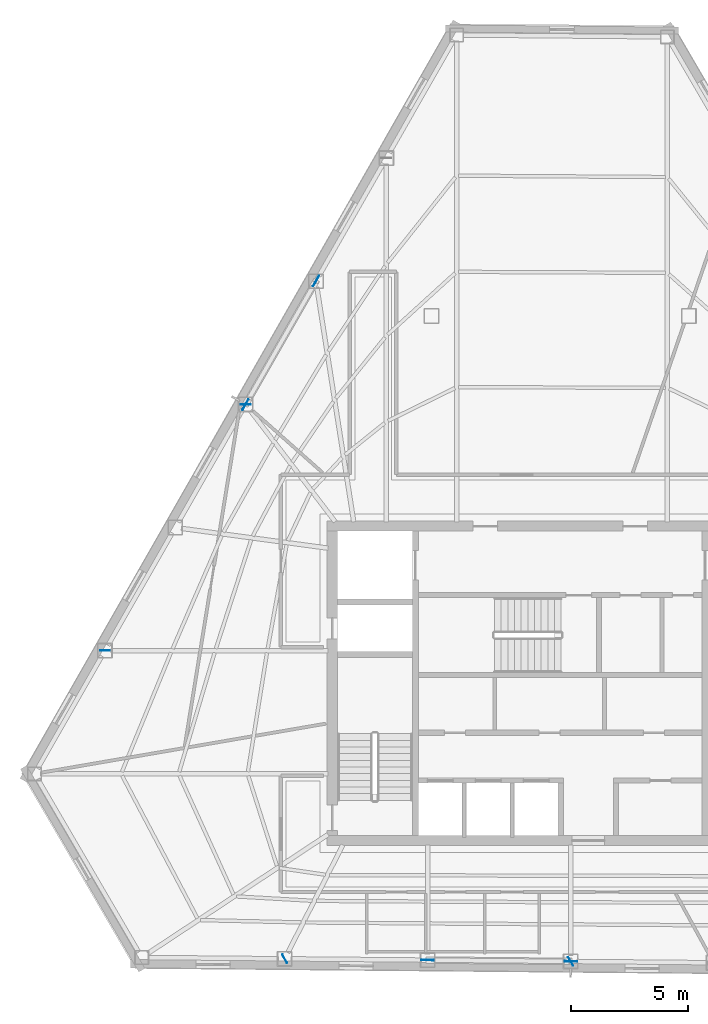
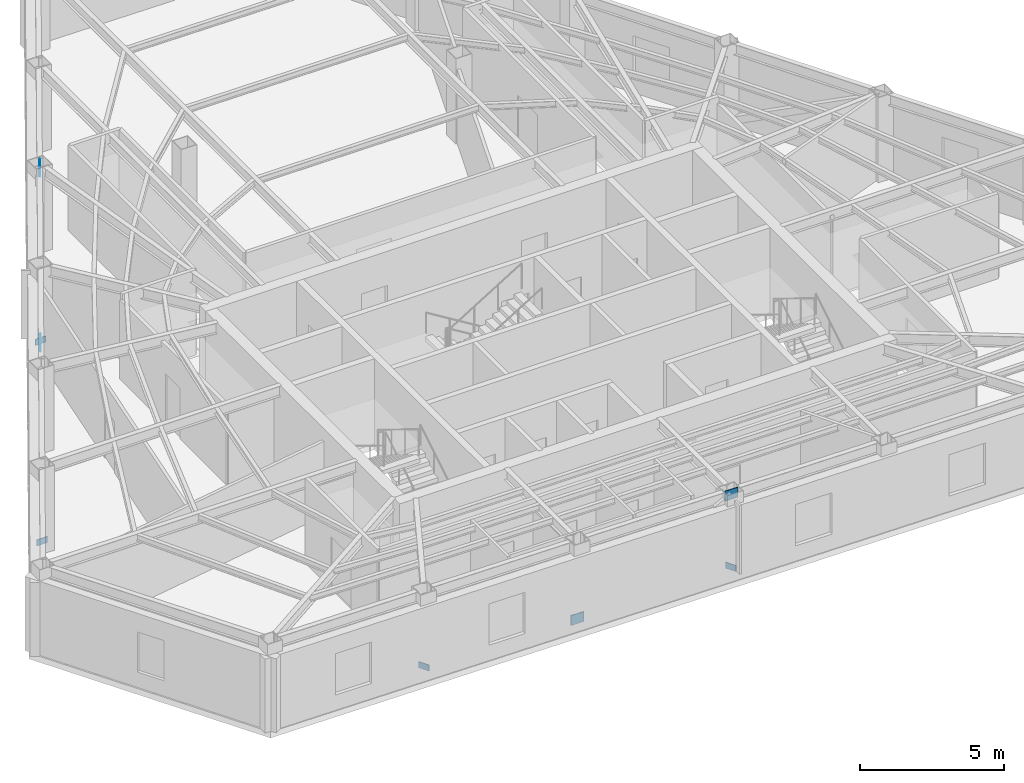
# One storey, part 4 of 11: 8 plates.
"""IFC4 building model written with IfcOpenShell, lengths in metres."""

from ifc_helpers import new_model, si_unit, direction, frame, origin, origin_2d, place, context, subcontext, project, spatial, rectangle, extrude, material, layer, layer_set, type_object, element, save


model = new_model("IFC4")

# Units and contexts
model_context = context("Model", 3, precision=1e-05, world=origin(), true_north=direction((0.0, 1.0)))
body_context = subcontext(model_context, "Body", "Model", "MODEL_VIEW")
ifc_project = project(units=[si_unit("LENGTHUNIT", "METRE"), si_unit("AREAUNIT", "SQUARE_METRE"), si_unit("VOLUMEUNIT", "CUBIC_METRE"), si_unit("PLANEANGLEUNIT", "RADIAN"), si_unit("MASSUNIT", "GRAM", prefix="KILO")], contexts=[model_context])

# Site, building, storey
site_placement = place(None, origin())
site = spatial("IfcSite", under=ifc_project, at=site_placement, CompositionType="ELEMENT")
building_placement = place(site_placement, origin())
building = spatial("IfcBuilding", under=site, at=building_placement, Name="Kavelnor Concourse Tower", CompositionType="ELEMENT")
storey_placement = place(building_placement, frame((0.0, 0.0, 184.25)))
storey = spatial("IfcBuildingStorey", under=building, at=storey_placement, Name="L46", CompositionType="ELEMENT", Elevation=184.25)

# Plates
ifc_material = material(Name="Steel Grade 350", Category="steel")
ifc_layer_1 = layer(ifc_material, 0.031982421875, Name="Steel Grade 350")
ifc_layer_set_1 = layer_set([ifc_layer_1], Name="Steel Grade 350")
plate_type_1 = type_object("IfcPlateType", Name="PL-GUSSET-TUBE-Z1", PredefinedType="USERDEFINED", material=ifc_layer_set_1)
for number, where, z_axis, x_axis, name in (
    (1, (24.547607421875, 28.010986328125, 0.010009765625), (0.0, 0.0, 1.0), (0.496064966839, 0.868285407383, 0.0), "L46 Tube Brace Gusset GP3 F0-B2 End Gusset A"),
    (2, (27.56591796875, 33.294677734375, 3.16015625), (0.0, 0.0, 1.0), (0.496064966839, 0.868285407383, 0.0), "L46 Tube Brace Gusset GP3 F0-B2 End Gusset B"),
    (3, (32.324462890625, 4.271484375, 0.010009765625), (0.0, 0.0, 1.0), (0.999957216788, -0.009250113117, 0.0), "L46 Tube Brace Gusset GP3 F1-B2 End Gusset A"),
    (4, (38.45947265625, 4.215087890625, 3.16015625), (0.0, 0.0, 1.0), (0.999957216788, -0.009250113117, 0.0), "L46 Tube Brace Gusset GP3 F1-B2 End Gusset B"),
):
    element("IfcPlate", number, at=place(storey_placement, frame(where, z_axis=z_axis, x_axis=x_axis)), inside=storey, type_object=plate_type_1, Name=name, ObjectType="GUSSET_PLATE", PredefinedType="USERDEFINED", context=body_context, shape_type="SweptSolid", body=[
        extrude(rectangle(XDim=0.52001953125, YDim=0.031982421875, at=origin_2d()), origin(), (0.0, 0.0, 1.0), 0.419921875),
    ])
ifc_layer_2 = layer(ifc_material, 0.02490234375, Name="Steel Grade 350")
ifc_layer_set_2 = layer_set([ifc_layer_2], Name="Steel Grade 350")
plate_type_2 = type_object("IfcPlateType", Name="PL-SPLICE-FLANGE", PredefinedType="SHEET", material=ifc_layer_set_2)
for number, where, z_axis, x_axis, name in (
    (5, (24.5537109375, 28.021484375, 0.169921875), (0.0, 0.0, 1.0), (1.0, 0.0, 0.0), "L46 Column Flange Splice Plate F0-B3"),
    (6, (18.54150390625, 17.495849609375, 0.169921875), (0.0, 0.0, 1.0), (1.0, 0.0, 0.0), "L46 Column Flange Splice Plate F0-B5"),
    (7, (26.2255859375, 4.327392578125, 0.169921875), (0.0, 0.0, 1.0), (-0.5, 0.866025403784, 0.0), "L46 Column Flange Splice Plate F1-B1"),
    (8, (38.447509765625, 4.21533203125, 0.169921875), (0.0, 0.0, 1.0), (-0.5, 0.866025403784, 0.0), "L46 Column Flange Splice Plate F1-B3"),
):
    element("IfcPlate", number, at=place(storey_placement, frame(where, z_axis=z_axis, x_axis=x_axis)), inside=storey, type_object=plate_type_2, Name=name, PredefinedType="SHEET", context=body_context, shape_type="SweptSolid", body=[
        extrude(rectangle(XDim=0.419921875, YDim=0.02490234375, at=origin_2d()), origin(), (0.0, 0.0, 1.0), 0.260009765625),
    ])

save(model, "model.ifc")
